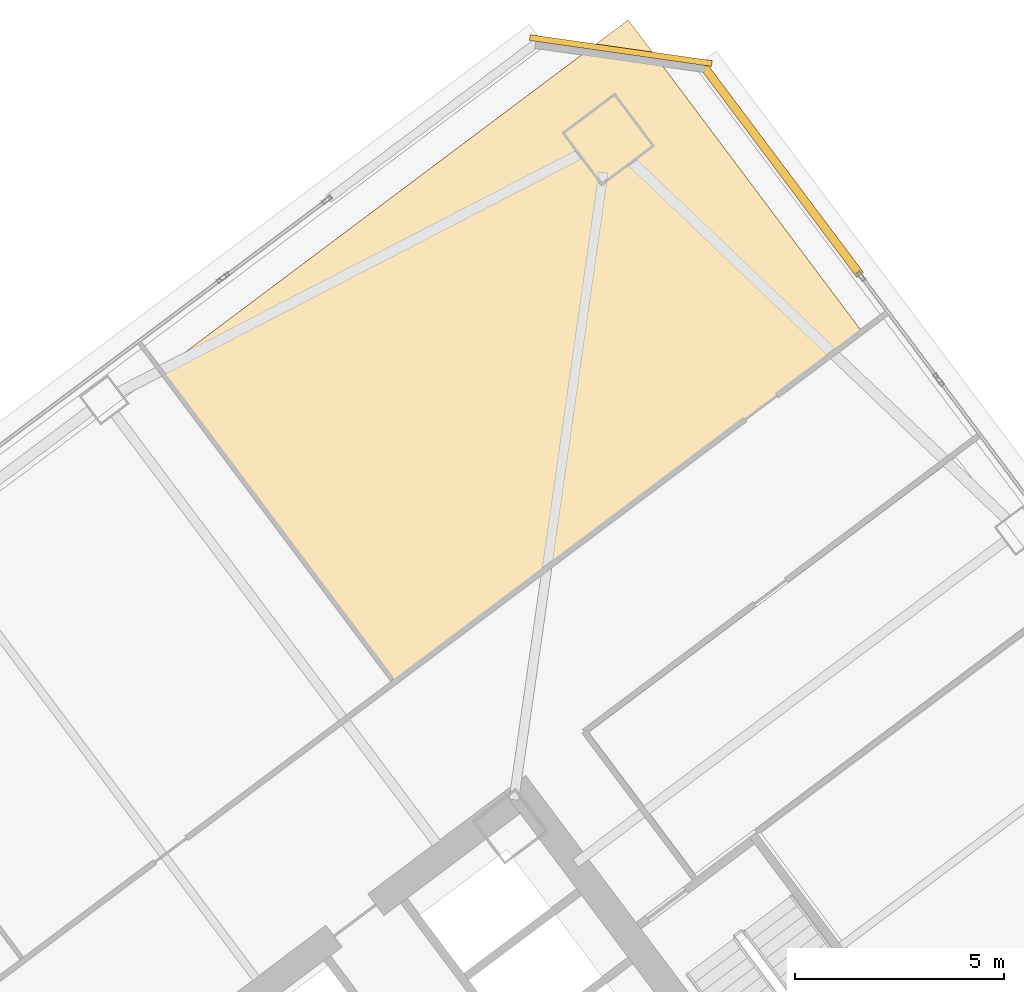
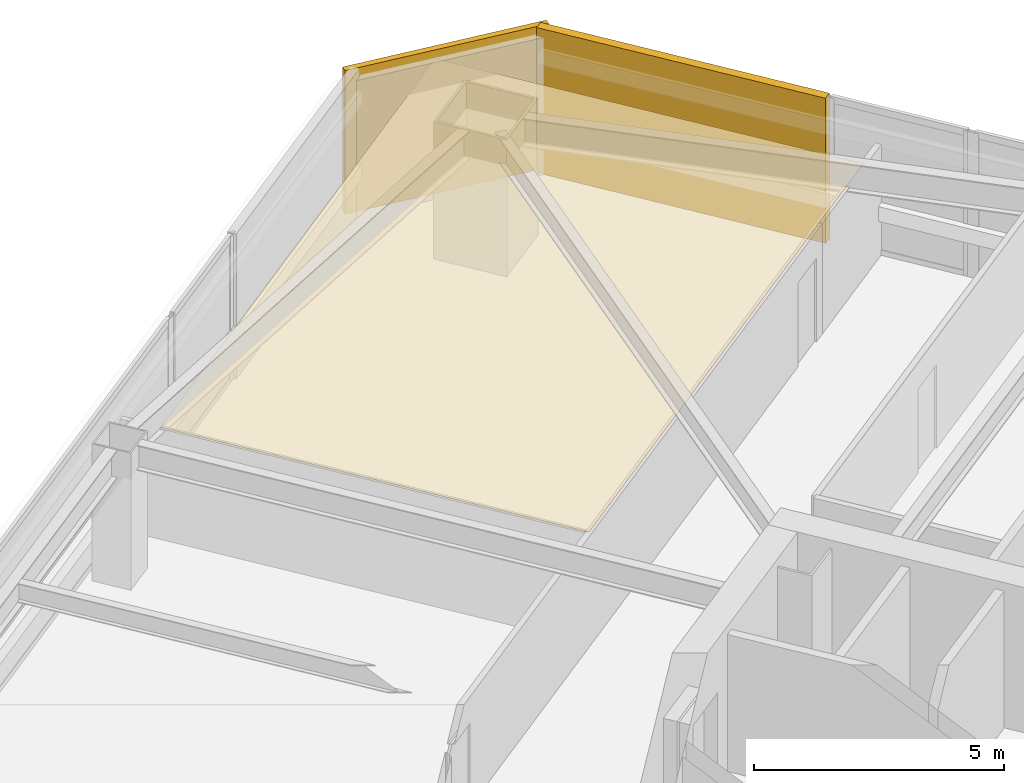
# One storey, part 47 of 48: 3 coverings.
"""IFC4 building model written with IfcOpenShell, lengths in metres."""

from ifc_helpers import new_model, si_unit, direction, frame, origin, origin_2d, place, context, subcontext, project, spatial, polyline, rectangle, outline, extrude, material, layer, layer_set, type_object, element, save


model = new_model("IFC4")

# Units and contexts
model_context = context("Model", 3, precision=1e-05, world=origin(), true_north=direction((0.0, 1.0)))
body_context = subcontext(model_context, "Body", "Model", "MODEL_VIEW")
ifc_project = project(units=[si_unit("LENGTHUNIT", "METRE"), si_unit("AREAUNIT", "SQUARE_METRE"), si_unit("VOLUMEUNIT", "CUBIC_METRE"), si_unit("PLANEANGLEUNIT", "RADIAN"), si_unit("MASSUNIT", "GRAM", prefix="KILO")], contexts=[model_context])

# Site, building, storey
site_placement = place(None, origin())
site = spatial("IfcSite", under=ifc_project, at=site_placement, CompositionType="ELEMENT")
building_placement = place(site_placement, origin())
building = spatial("IfcBuilding", under=site, at=building_placement, Name="Tashvorn Skyway Center", CompositionType="ELEMENT")
storey_placement = place(building_placement, frame((0.0, 0.0, 56.550048828125)))
storey = spatial("IfcBuildingStorey", under=building, at=storey_placement, Name="L14", CompositionType="ELEMENT", Elevation=56.550048828125)

# Coverings
ifc_material_1 = material(Name="Precast concrete C40/50", Category="concrete")
ifc_layer_1 = layer(ifc_material_1, 0.199951171875)
ifc_layer_set_1 = layer_set([ifc_layer_1], Name="Precast concrete C40/50")
covering_type_1 = type_object("IfcCoveringType", Name="COV-BRACE-CLAD", PredefinedType="CLADDING", material=ifc_layer_set_1)
covering_1_placement = place(storey_placement, frame((121.904052734375, 57.5947265625, 0.0), z_axis=(0.0, 0.0, 1.0), x_axis=(0.600000004945, -0.799999996291, 0.0)))
element("IfcCovering", 1, at=covering_1_placement, inside=storey, type_object=covering_type_1, Name="Tower 2 L14 East Unitised Curtain Wall Mega-Brace Cladding Band 1", PredefinedType="CLADDING", context=body_context, shape_type="SweptSolid", body=[
    extrude(rectangle(XDim=6.29345703125, YDim=0.199951171875, at=origin_2d()), origin(), (0.0, 0.0, 1.0), 3.550048828125),
])
ifc_material_2 = material(Name="Mineral-fibre acoustic ceiling tile on suspended grid")
ifc_layer_2 = layer(ifc_material_2, 0.02001953125)
ifc_layer_set_2 = layer_set([ifc_layer_2], Name="Mineral-fibre acoustic ceiling tile on suspended grid")
covering_type_2 = type_object("IfcCoveringType", Name="COV-CEIL-20", PredefinedType="CEILING", material=ifc_layer_set_2)
covering_2_placement = place(storey_placement, frame((0.0, 0.0, 2.682861328125)))
element("IfcCovering", 2, at=covering_2_placement, inside=storey, type_object=covering_type_2, Name="Tower 2 L14 Catering Pantry Acoustic Ceiling", PredefinedType="CEILING", context=body_context, shape_type="SweptSolid", body=[
    extrude(outline(polyline([(112.637939453125, 45.31591796875), (123.837890625, 53.716064453125), (118.239990234375, 61.179931640625), (107.0400390625, 52.780029296875), (112.637939453125, 45.31591796875)])), origin(), (0.0, 0.0, 1.0), 0.02001953125),
])
ifc_layer_3 = layer(ifc_material_1, 0.35009765625)
ifc_layer_set_3 = layer_set([ifc_layer_3], Name="Precast concrete C40/50")
covering_type_3 = type_object("IfcCoveringType", Name="COV-STONE-TRIM", PredefinedType="CLADDING", material=ifc_layer_set_3)
covering_3_placement = place(storey_placement, frame((118.06396484375, 60.447998046875, 0.02001953125), z_axis=(0.0, 0.0, 1.0), x_axis=(0.989949494535, -0.141421350118, 0.0)))
element("IfcCovering", 3, at=covering_3_placement, inside=storey, type_object=covering_type_3, Name="Tower 2 L14 NE Mojave Limestone Corner Quoin", PredefinedType="CLADDING", context=body_context, shape_type="SweptSolid", body=[
    extrude(rectangle(XDim=4.402587890625, YDim=0.139892578125, at=origin_2d()), origin(), (0.0, 0.0, 1.0), 3.510009765625),
])

save(model, "model.ifc")
